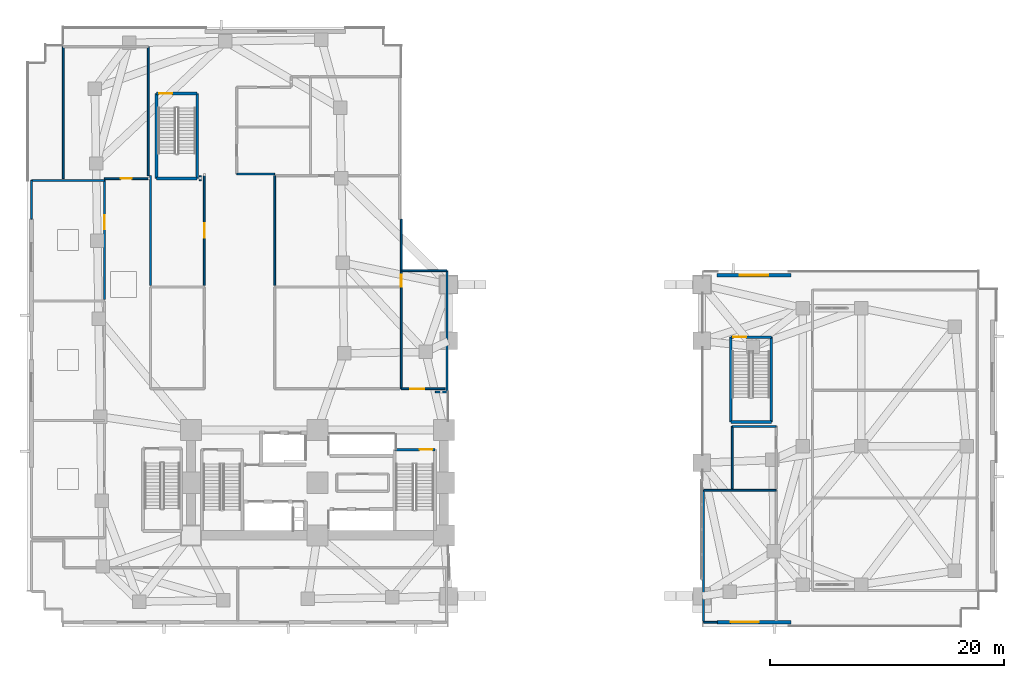
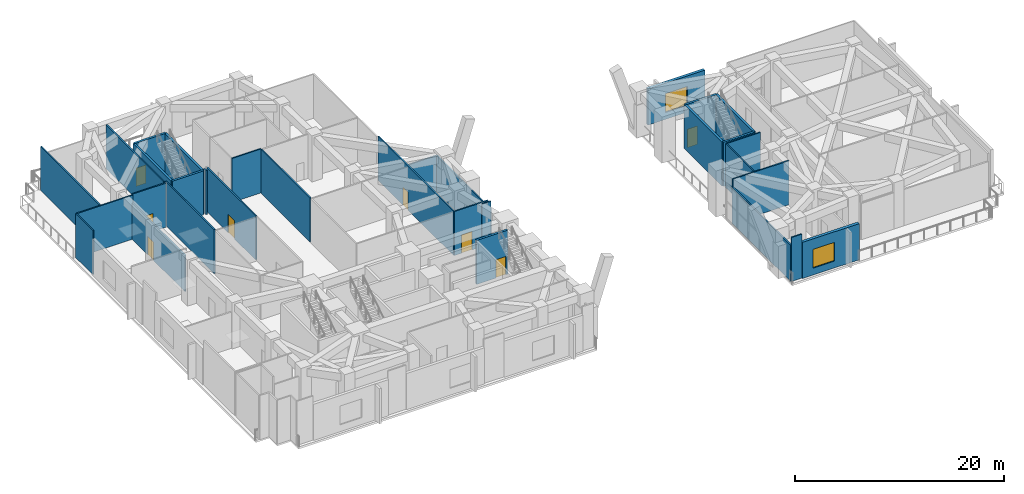
# One storey, part 9 of 18: 32 walls, 8 doors, 2 windows, 10 openings.
"""IFC4 building model written with IfcOpenShell, lengths in metres."""

from ifc_helpers import new_model, si_unit, direction, frame, frame_2d, origin, place, context, subcontext, project, spatial, rectangle, extrude, material, layer, layer_set, type_object, element, fill, save


model = new_model("IFC4")

# Units and contexts
model_context = context("Model", 3, precision=1e-05, world=origin(), true_north=direction((0.0, 1.0)))
body_context = subcontext(model_context, "Body", "Model", "MODEL_VIEW")
ifc_project = project(units=[si_unit("LENGTHUNIT", "METRE"), si_unit("AREAUNIT", "SQUARE_METRE"), si_unit("VOLUMEUNIT", "CUBIC_METRE"), si_unit("PLANEANGLEUNIT", "RADIAN"), si_unit("MASSUNIT", "GRAM", prefix="KILO")], contexts=[model_context])

# Site, building, storey
site_placement = place(None, origin())
site = spatial("IfcSite", under=ifc_project, at=site_placement, CompositionType="ELEMENT")
building_placement = place(site_placement, origin())
building = spatial("IfcBuilding", under=site, at=building_placement, Name="Gaonmaruhae Medical Tower", CompositionType="ELEMENT")
storey_placement = place(building_placement, frame((0.0, 0.0, 5.39990234375)))
storey = spatial("IfcBuildingStorey", under=building, at=storey_placement, Name="L01", CompositionType="ELEMENT", Elevation=5.39990234375)

# Wall, opening, window
ifc_material_1 = material(Name="Precast concrete C45/55", Category="concrete")
ifc_layer_1 = layer(ifc_material_1, 0.320068359375)
ifc_layer_set_1 = layer_set([ifc_layer_1], Name="Precast concrete C45/55")
wall_type_1 = type_object("IfcWallType", Name="EW-320 Lower Precast Masonry-Frame Facade Wall", PredefinedType="SOLIDWALL", material=ifc_layer_set_1)
wall_1_placement = place(storey_placement, frame((65.199951171875, 0.39990234375, 0.0), z_axis=(0.0, 0.0, 1.0), x_axis=(-1.0, 0.0, 0.0)))
wall_1 = element("IfcWall", 1, at=wall_1_placement, inside=storey, type_object=wall_type_1, Name="L01 Precast Facade Wall PB-S4", PredefinedType="SOLIDWALL", context=body_context, shape_type="SweptSolid", body=[
    extrude(rectangle(XDim=6.300048828125, YDim=0.320068359375, at=frame_2d((3.14990234375, 0.0))), origin(), (0.0, 0.0, 1.0), 4.22998046875),
])
opening_1_placement = place(wall_1_placement, frame((2.739990234375, 0.0, 0.800048828125)))
opening_1 = element("IfcOpeningElement", 2, at=opening_1_placement, cuts=wall_1, Name="Opening WN-06", PredefinedType="OPENING", context=body_context, shape_type="SweptSolid", body=[
    extrude(rectangle(XDim=2.39990234375, YDim=2.199951171875, at=frame_2d((1.199951171875, 1.10009765625))), frame((0.0, 0.169921875, 0.0), z_axis=(0.0, -1.0, 0.0), x_axis=(1.0, 0.0, 0.0)), (0.0, 0.0, 1.0), 0.340087890625),
])
ifc_material_2 = material(Name="Anodised aluminium and Low-E double glazing", Category="aluminium")
window_type = type_object("IfcWindowType", Name="WN-06 Podium Diagnostic Punched Window 2400x2200", PartitioningType="SINGLE_PANEL", PredefinedType="WINDOW", material=ifc_material_2)
window_1_placement = place(opening_1_placement, origin())
window_1 = element("IfcWindow", 3, at=window_1_placement, inside=storey, type_object=window_type, Name="L01 Podium Punched Window PB-S4", OverallHeight=2.199951171875, OverallWidth=2.39990234375, PartitioningType="SINGLE_PANEL", PredefinedType="WINDOW", context=body_context, shape_type="SweptSolid", body=[
    extrude(rectangle(XDim=2.39990234375, YDim=2.199951171875, at=frame_2d((1.199951171875, 1.10009765625))), frame((0.0, 0.030029296875, 0.0), z_axis=(0.0, -1.0, 0.0), x_axis=(1.0, 0.0, 0.0)), (0.0, 0.0, 1.0), 0.06005859375),
])
fill(opening_1, window_1)

wall_2_placement = place(storey_placement, frame((58.89990234375, 30.0, 0.0), z_axis=(0.0, 0.0, 1.0), x_axis=(1.0, 0.0, 0.0)))
wall_2 = element("IfcWall", 4, at=wall_2_placement, inside=storey, type_object=wall_type_1, Name="L01 Precast Facade Wall PB-N1", PredefinedType="SOLIDWALL", context=body_context, shape_type="SweptSolid", body=[
    extrude(rectangle(XDim=6.300048828125, YDim=0.320068359375, at=frame_2d((3.14990234375, 0.0))), origin(), (0.0, 0.0, 1.0), 4.22998046875),
])
opening_2_placement = place(wall_2_placement, frame((1.949951171875, 0.0, 0.800048828125)))
opening_2 = element("IfcOpeningElement", 5, at=opening_2_placement, cuts=wall_2, Name="Opening WN-06", PredefinedType="OPENING", context=body_context, shape_type="SweptSolid", body=[
    extrude(rectangle(XDim=2.39990234375, YDim=2.199951171875, at=frame_2d((1.199951171875, 1.10009765625))), frame((0.0, 0.169921875, 0.0), z_axis=(0.0, -1.0, 0.0), x_axis=(1.0, 0.0, 0.0)), (0.0, 0.0, 1.0), 0.340087890625),
])
window_2_placement = place(opening_2_placement, origin())
window_2 = element("IfcWindow", 6, at=window_2_placement, inside=storey, type_object=window_type, Name="L01 Podium Punched Window PB-N1", OverallHeight=2.199951171875, OverallWidth=2.39990234375, PartitioningType="SINGLE_PANEL", PredefinedType="WINDOW", context=body_context, shape_type="SweptSolid", body=[
    extrude(rectangle(XDim=2.39990234375, YDim=2.199951171875, at=frame_2d((1.199951171875, 1.10009765625))), frame((0.0, 0.030029296875, 0.0), z_axis=(0.0, -1.0, 0.0), x_axis=(1.0, 0.0, 0.0)), (0.0, 0.0, 1.0), 0.06005859375),
])
fill(opening_2, window_2)

# Wall
ifc_material_3 = material(Name="Gypsum board partition", Category="gypsum")
ifc_layer_2 = layer(ifc_material_3, 0.14990234375)
ifc_layer_set_2 = layer_set([ifc_layer_2], Name="Gypsum board partition")
wall_type_2 = type_object("IfcWallType", Name="PW-150 Rated Clinical Corridor Partition", PredefinedType="PARTITIONING", material=ifc_layer_set_2)
wall_3_placement = place(storey_placement, frame((0.39990234375, 38.10009765625, 0.0), z_axis=(0.0, 0.0, 1.0), x_axis=(1.0, 0.0, 0.0)))
element("IfcWall", 7, at=wall_3_placement, inside=storey, type_object=wall_type_2, Name="L01 Interior Partition L01-WP3-12", PredefinedType="PARTITIONING", context=body_context, shape_type="SweptSolid", body=[
    extrude(rectangle(XDim=6.22021484375, YDim=0.14990234375, at=frame_2d((3.110107421875, 0.0))), origin(), (0.0, 0.0, 1.0), 5.150146484375),
])

# Wall, opening, door
wall_4_placement = place(storey_placement, frame((6.6201171875, 38.10009765625, 0.0), z_axis=(0.0, 0.0, 1.0), x_axis=(0.0, -1.0, 0.0)))
wall_4 = element("IfcWall", 8, at=wall_4_placement, inside=storey, type_object=wall_type_2, Name="L01 Interior Partition L01-WP3-13", PredefinedType="PARTITIONING", context=body_context, shape_type="SweptSolid", body=[
    extrude(rectangle(XDim=10.150146484375, YDim=0.14990234375, at=frame_2d((5.0751953125, 0.0))), origin(), (0.0, 0.0, 1.0), 4.235107421875),
])
opening_3_placement = place(wall_4_placement, frame((2.96484375, 0.0, 0.0)))
opening_3 = element("IfcOpeningElement", 9, at=opening_3_placement, cuts=wall_4, Name="Opening CD-02", PredefinedType="OPENING", context=body_context, shape_type="SweptSolid", body=[
    extrude(rectangle(XDim=1.199951171875, YDim=2.14990234375, at=frame_2d((0.60009765625, 1.074951171875))), frame((0.0, 0.0849609375, 0.0), z_axis=(0.0, -1.0, 0.0), x_axis=(1.0, 0.0, 0.0)), (0.0, 0.0, 1.0), 0.169921875),
])
ifc_material_4 = material(Name="Antimicrobial laminate timber fire door", Category="wood")
door_type_1 = type_object("IfcDoorType", Name="CD-02 Clinical Treatment & Procedure Door 1200x2150", OperationType="NOTDEFINED", PredefinedType="DOOR", material=ifc_material_4)
door_1_placement = place(opening_3_placement, origin())
door_1 = element("IfcDoor", 10, at=door_1_placement, inside=storey, type_object=door_type_1, Name="L01 L01 Rehabilitation Physiotherapy Suite Door", OperationType="SINGLE_SWING_LEFT", OverallHeight=2.14990234375, OverallWidth=1.199951171875, PredefinedType="DOOR", context=body_context, shape_type="SweptSolid", body=[
    extrude(rectangle(XDim=1.199951171875, YDim=2.14990234375, at=frame_2d((0.60009765625, 1.074951171875))), frame((0.0, 0.02490234375, 0.0), z_axis=(0.0, -1.0, 0.0), x_axis=(1.0, 0.0, 0.0)), (0.0, 0.0, 1.0), 0.050048828125),
])
fill(opening_3, door_1)

# Walls
wall_5_placement = place(storey_placement, frame((0.39990234375, 34.800048828125, 0.0), z_axis=(0.0, 0.0, 1.0), x_axis=(0.0, 1.0, 0.0)))
element("IfcWall", 11, at=wall_5_placement, inside=storey, type_object=wall_type_2, Name="L01 Interior Partition L01-WP3-14", PredefinedType="PARTITIONING", context=body_context, shape_type="SweptSolid", body=[
    extrude(rectangle(XDim=3.300048828125, YDim=0.14990234375, at=frame_2d((1.64990234375, 0.0))), origin(), (0.0, 0.0, 1.0), 5.150146484375),
])
wall_6_placement = place(storey_placement, frame((35.85009765625, 30.39990234375, 0.0), z_axis=(0.0, 0.0, 1.0), x_axis=(0.0, -1.0, 0.0)))
element("IfcWall", 12, at=wall_6_placement, inside=storey, type_object=wall_type_2, Name="L01 Interior Partition L01-WP4-15", PredefinedType="PARTITIONING", context=body_context, shape_type="SweptSolid", body=[
    extrude(rectangle(XDim=10.349853515625, YDim=0.14990234375, at=frame_2d((5.1748046875, 0.0))), origin(), (0.0, 0.0, 1.0), 4.235107421875),
])
wall_7_placement = place(storey_placement, frame((35.85009765625, 20.050048828125, 0.0), z_axis=(0.0, 0.0, 1.0), x_axis=(-1.0, 0.0, 0.0)))
element("IfcWall", 13, at=wall_7_placement, inside=storey, type_object=wall_type_2, Name="L01 Interior Partition L01-WP4-16", PredefinedType="PARTITIONING", context=body_context, shape_type="SweptSolid", body=[
    extrude(rectangle(XDim=0.989990234375, YDim=0.14990234375, at=frame_2d((0.4951171875, 0.0))), origin(), (0.0, 0.0, 1.0), 5.150146484375),
])

# Wall, opening, door
wall_8_placement = place(storey_placement, frame((35.68994140625, 20.31005859375, 0.0), z_axis=(0.0, 0.0, 1.0), x_axis=(-1.0, 0.0, 0.0)))
wall_8 = element("IfcWall", 14, at=wall_8_placement, inside=storey, type_object=wall_type_2, Name="L01 Interior Partition L01-WP4-17", PredefinedType="PARTITIONING", context=body_context, shape_type="SweptSolid", body=[
    extrude(rectangle(XDim=3.739990234375, YDim=0.14990234375, at=frame_2d((1.8701171875, 0.0))), origin(), (0.0, 0.0, 1.0), 5.150146484375),
])
opening_4_placement = place(wall_8_placement, frame((1.7919921875, 0.0, 0.0)))
opening_4 = element("IfcOpeningElement", 15, at=opening_4_placement, cuts=wall_8, Name="Opening CD-02", PredefinedType="OPENING", context=body_context, shape_type="SweptSolid", body=[
    extrude(rectangle(XDim=1.199951171875, YDim=2.14990234375, at=frame_2d((0.60009765625, 1.074951171875))), frame((0.0, 0.0849609375, 0.0), z_axis=(0.0, -1.0, 0.0), x_axis=(1.0, 0.0, 0.0)), (0.0, 0.0, 1.0), 0.169921875),
])
door_2_placement = place(opening_4_placement, origin())
door_2 = element("IfcDoor", 16, at=door_2_placement, inside=storey, type_object=door_type_1, Name="L01 L01 Outpatient Ultrasound Room Door", OperationType="SINGLE_SWING_LEFT", OverallHeight=2.14990234375, OverallWidth=1.199951171875, PredefinedType="DOOR", context=body_context, shape_type="SweptSolid", body=[
    extrude(rectangle(XDim=1.199951171875, YDim=2.14990234375, at=frame_2d((0.60009765625, 1.074951171875))), frame((0.0, 0.02490234375, 0.0), z_axis=(0.0, -1.0, 0.0), x_axis=(1.0, 0.0, 0.0)), (0.0, 0.0, 1.0), 0.050048828125),
])
fill(opening_4, door_2)

wall_9_placement = place(storey_placement, frame((31.949951171875, 20.31005859375, 0.0), z_axis=(0.0, 0.0, 1.0), x_axis=(0.0, 1.0, 0.0)))
wall_9 = element("IfcWall", 17, at=wall_9_placement, inside=storey, type_object=wall_type_2, Name="L01 Interior Partition L01-WP4-18", PredefinedType="PARTITIONING", context=body_context, shape_type="SweptSolid", body=[
    extrude(rectangle(XDim=14.489990234375, YDim=0.14990234375, at=frame_2d((7.2451171875, 0.0))), origin(), (0.0, 0.0, 1.0), 5.150146484375),
])
opening_5_placement = place(wall_9_placement, frame((8.72998046875, 0.0, 0.0)))
opening_5 = element("IfcOpeningElement", 18, at=opening_5_placement, cuts=wall_9, Name="Opening CD-01", PredefinedType="OPENING", context=body_context, shape_type="SweptSolid", body=[
    extrude(rectangle(XDim=1.0, YDim=2.1201171875, at=frame_2d((0.5, 1.06005859375))), frame((0.0, 0.0849609375, 0.0), z_axis=(0.0, -1.0, 0.0), x_axis=(1.0, 0.0, 0.0)), (0.0, 0.0, 1.0), 0.169921875),
])
door_type_2 = type_object("IfcDoorType", Name="CD-01 Consultation & Physician Office Door 1000x2120", OperationType="NOTDEFINED", PredefinedType="DOOR", material=ifc_material_4)
door_3_placement = place(opening_5_placement, origin())
door_3 = element("IfcDoor", 19, at=door_3_placement, inside=storey, type_object=door_type_2, Name="L01 Outpatient Phlebotomy Laboratory Sliding Door", OperationType="SLIDING_TO_LEFT", OverallHeight=2.1201171875, OverallWidth=1.0, PredefinedType="DOOR", context=body_context, shape_type="SweptSolid", body=[
    extrude(rectangle(XDim=1.0, YDim=2.1201171875, at=frame_2d((0.5, 1.06005859375))), frame((0.0, 0.02490234375, 0.0), z_axis=(0.0, -1.0, 0.0), x_axis=(1.0, 0.0, 0.0)), (0.0, 0.0, 1.0), 0.050048828125),
])
fill(opening_5, door_3)

# Walls
wall_10_placement = place(storey_placement, frame((32.0, 30.39990234375, 0.0), z_axis=(0.0, 0.0, 1.0), x_axis=(1.0, 0.0, 0.0)))
element("IfcWall", 20, at=wall_10_placement, inside=storey, type_object=wall_type_2, Name="L01 Interior Partition L01-WP4-19", PredefinedType="PARTITIONING", context=body_context, shape_type="SweptSolid", body=[
    extrude(rectangle(XDim=3.85009765625, YDim=0.14990234375, at=frame_2d((1.925048828125, 0.0))), origin(), (0.0, 0.0, 1.0), 4.235107421875),
])
wall_11_placement = place(storey_placement, frame((57.75, 11.64990234375, 0.0), z_axis=(0.0, 0.0, 1.0), x_axis=(1.0, 0.0, 0.0)))
element("IfcWall", 21, at=wall_11_placement, inside=storey, type_object=wall_type_2, Name="L01 Interior Partition L01-EA4-30", PredefinedType="PARTITIONING", context=body_context, shape_type="SweptSolid", body=[
    extrude(rectangle(XDim=6.199951171875, YDim=0.14990234375, at=frame_2d((3.10009765625, 0.0))), origin(), (0.0, 0.0, 1.0), 5.150146484375),
])
wall_12_placement = place(storey_placement, frame((58.89990234375, 0.39990234375, 0.0), z_axis=(0.0, 0.0, 1.0), x_axis=(-1.0, 0.0, 0.0)))
element("IfcWall", 22, at=wall_12_placement, inside=storey, type_object=wall_type_2, Name="L01 Interior Partition L01-EA4-32", PredefinedType="PARTITIONING", context=body_context, shape_type="SweptSolid", body=[
    extrude(rectangle(XDim=1.14990234375, YDim=0.14990234375, at=frame_2d((0.574951171875, 0.0))), origin(), (0.0, 0.0, 1.0), 5.150146484375),
])
wall_13_placement = place(storey_placement, frame((57.75, 0.39990234375, 0.0), z_axis=(0.0, 0.0, 1.0), x_axis=(0.0, 1.0, 0.0)))
element("IfcWall", 23, at=wall_13_placement, inside=storey, type_object=wall_type_2, Name="L01 Interior Partition L01-EA4-33", PredefinedType="PARTITIONING", context=body_context, shape_type="SweptSolid", body=[
    extrude(rectangle(XDim=11.25, YDim=0.14990234375, at=frame_2d((5.625, 0.0))), origin(), (0.0, 0.0, 1.0), 4.235107421875),
])
wall_14_placement = place(storey_placement, frame((60.199951171875, 17.10009765625, 0.0), z_axis=(0.0, 0.0, 1.0), x_axis=(1.0, 0.0, 0.0)))
element("IfcWall", 24, at=wall_14_placement, inside=storey, type_object=wall_type_2, Name="L01 Interior Partition L01-EAW-34", PredefinedType="PARTITIONING", context=body_context, shape_type="SweptSolid", body=[
    extrude(rectangle(XDim=3.75, YDim=0.14990234375, at=frame_2d((1.875, 0.0))), origin(), (0.0, 0.0, 1.0), 5.150146484375),
])
wall_15_placement = place(storey_placement, frame((60.199951171875, 11.800048828125, 0.0), z_axis=(0.0, 0.0, 1.0), x_axis=(0.0, 1.0, 0.0)))
element("IfcWall", 25, at=wall_15_placement, inside=storey, type_object=wall_type_2, Name="L01 Interior Partition L01-EAW-36", PredefinedType="PARTITIONING", context=body_context, shape_type="SweptSolid", body=[
    extrude(rectangle(XDim=5.300048828125, YDim=0.14990234375, at=frame_2d((2.64990234375, 0.0))), origin(), (0.0, 0.0, 1.0), 5.150146484375),
])
wall_16_placement = place(storey_placement, frame((10.550048828125, 29.14990234375, 0.0), z_axis=(0.0, 0.0, 1.0), x_axis=(0.0, 1.0, 0.0)))
element("IfcWall", 26, at=wall_16_placement, inside=storey, type_object=wall_type_2, Name="L01 Interior Partition L01-D5-59", PredefinedType="PARTITIONING", context=body_context, shape_type="SweptSolid", body=[
    extrude(rectangle(XDim=9.35009765625, YDim=0.14990234375, at=frame_2d((4.675048828125, 0.0))), origin(), (0.0, 0.0, 1.0), 5.150146484375),
])
wall_17_placement = place(storey_placement, frame((14.800048828125, 38.050048828125, 0.0), z_axis=(0.0, 0.0, 1.0), x_axis=(0.0, 1.0, 0.0)))
element("IfcWall", 27, at=wall_17_placement, inside=storey, type_object=wall_type_2, Name="L01 Interior Partition L01-D5-60", PredefinedType="PARTITIONING", context=body_context, shape_type="SweptSolid", body=[
    extrude(rectangle(XDim=0.449951171875, YDim=0.14990234375, at=frame_2d((0.22509765625, 0.0))), origin(), (0.0, 0.0, 1.0), 5.150146484375),
])

# Wall, opening, door
wall_18_placement = place(storey_placement, frame((15.139892578125, 38.5, 0.0), z_axis=(0.0, 0.0, 1.0), x_axis=(0.0, -1.0, 0.0)))
wall_18 = element("IfcWall", 28, at=wall_18_placement, inside=storey, type_object=wall_type_2, Name="L01 Interior Partition L01-D5-61", PredefinedType="PARTITIONING", context=body_context, shape_type="SweptSolid", body=[
    extrude(rectangle(XDim=9.35009765625, YDim=0.14990234375, at=frame_2d((4.675048828125, 0.0))), origin(), (0.0, 0.0, 1.0), 5.150146484375),
])
opening_6_placement = place(wall_18_placement, frame((4.074951171875, 0.0, 0.0)))
opening_6 = element("IfcOpeningElement", 29, at=opening_6_placement, cuts=wall_18, Name="Opening CD-02", PredefinedType="OPENING", context=body_context, shape_type="SweptSolid", body=[
    extrude(rectangle(XDim=1.199951171875, YDim=2.14990234375, at=frame_2d((0.60009765625, 1.074951171875))), frame((0.0, 0.0849609375, 0.0), z_axis=(0.0, -1.0, 0.0), x_axis=(1.0, 0.0, 0.0)), (0.0, 0.0, 1.0), 0.169921875),
])
door_4_placement = place(opening_6_placement, origin())
door_4 = element("IfcDoor", 30, at=door_4_placement, inside=storey, type_object=door_type_1, Name="L01 Cardiopulmonary Diagnostic Suite Door", OperationType="SINGLE_SWING_RIGHT", OverallHeight=2.14990234375, OverallWidth=1.199951171875, PredefinedType="DOOR", context=body_context, shape_type="SweptSolid", body=[
    extrude(rectangle(XDim=1.199951171875, YDim=2.14990234375, at=frame_2d((0.60009765625, 1.074951171875))), frame((0.0, 0.02490234375, 0.0), z_axis=(0.0, -1.0, 0.0), x_axis=(1.0, 0.0, 0.0)), (0.0, 0.0, 1.0), 0.050048828125),
])
fill(opening_6, door_4)

# Walls
wall_19_placement = place(storey_placement, frame((21.14990234375, 29.14990234375, 0.0), z_axis=(0.0, 0.0, 1.0), x_axis=(0.0, 1.0, 0.0)))
element("IfcWall", 31, at=wall_19_placement, inside=storey, type_object=wall_type_2, Name="L01 Interior Partition L01-D6-64", PredefinedType="PARTITIONING", context=body_context, shape_type="SweptSolid", body=[
    extrude(rectangle(XDim=9.35009765625, YDim=0.14990234375, at=frame_2d((4.675048828125, 0.0))), origin(), (0.0, 0.0, 1.0), 5.150146484375),
])
wall_20_placement = place(storey_placement, frame((21.14990234375, 38.64990234375, 0.0), z_axis=(0.0, 0.0, 1.0), x_axis=(-1.0, 0.0, 0.0)))
element("IfcWall", 32, at=wall_20_placement, inside=storey, type_object=wall_type_2, Name="L01 Interior Partition L01-WC-68", PredefinedType="PARTITIONING", context=body_context, shape_type="SweptSolid", body=[
    extrude(rectangle(XDim=3.239990234375, YDim=0.14990234375, at=frame_2d((1.6201171875, 0.0))), origin(), (0.0, 0.0, 1.0), 5.150146484375),
])

# Wall, opening, door
wall_21_placement = place(storey_placement, frame((10.35009765625, 38.25, 0.0), z_axis=(0.0, 0.0, 1.0), x_axis=(-1.0, 0.0, 0.0)))
wall_21 = element("IfcWall", 33, at=wall_21_placement, inside=storey, type_object=wall_type_2, Name="L01 Interior Partition L01-HSK-75", PredefinedType="PARTITIONING", context=body_context, shape_type="SweptSolid", body=[
    extrude(rectangle(XDim=3.72998046875, YDim=0.14990234375, at=frame_2d((1.864990234375, 0.0))), origin(), (0.0, 0.0, 1.0), 5.150146484375),
])
opening_7_placement = place(wall_21_placement, frame((1.405029296875, 0.0, 0.0)))
opening_7 = element("IfcOpeningElement", 34, at=opening_7_placement, cuts=wall_21, Name="Opening UD-01", PredefinedType="OPENING", context=body_context, shape_type="SweptSolid", body=[
    extrude(rectangle(XDim=0.919921875, YDim=2.10009765625, at=frame_2d((0.4599609375, 1.050048828125))), frame((0.0, 0.0849609375, 0.0), z_axis=(0.0, -1.0, 0.0), x_axis=(1.0, 0.0, 0.0)), (0.0, 0.0, 1.0), 0.169921875),
])
ifc_material_5 = material(Name="Powder-coated steel utility door", Category="steel")
door_type_3 = type_object("IfcDoorType", Name="UD-01 Toilet, Utility & Housekeeping Door 920x2100", OperationType="NOTDEFINED", PredefinedType="DOOR", material=ifc_material_5)
door_5_placement = place(opening_7_placement, origin())
door_5 = element("IfcDoor", 35, at=door_5_placement, inside=storey, type_object=door_type_3, Name="L01 L01 Department Housekeeping Room Door", OperationType="SINGLE_SWING_LEFT", OverallHeight=2.10009765625, OverallWidth=0.919921875, PredefinedType="DOOR", context=body_context, shape_type="SweptSolid", body=[
    extrude(rectangle(XDim=0.919921875, YDim=2.10009765625, at=frame_2d((0.4599609375, 1.050048828125))), frame((0.0, 0.02490234375, 0.0), z_axis=(0.0, -1.0, 0.0), x_axis=(1.0, 0.0, 0.0)), (0.0, 0.0, 1.0), 0.050048828125),
])
fill(opening_7, door_5)

# Walls
wall_22_placement = place(storey_placement, frame((3.10009765625, 38.25, 0.0), z_axis=(0.0, 0.0, 1.0), x_axis=(0.0, 1.0, 0.0)))
element("IfcWall", 36, at=wall_22_placement, inside=storey, type_object=wall_type_2, Name="L01 Interior Partition L01-HSK-76", PredefinedType="PARTITIONING", context=body_context, shape_type="SweptSolid", body=[
    extrude(rectangle(XDim=11.25, YDim=0.14990234375, at=frame_2d((5.625, 0.0))), origin(), (0.0, 0.0, 1.0), 5.150146484375),
])
wall_23_placement = place(storey_placement, frame((10.35009765625, 49.5, 0.0), z_axis=(0.0, 0.0, 1.0), x_axis=(0.0, -1.0, 0.0)))
element("IfcWall", 37, at=wall_23_placement, inside=storey, type_object=wall_type_2, Name="L01 Interior Partition L01-HSK-78", PredefinedType="PARTITIONING", context=body_context, shape_type="SweptSolid", body=[
    extrude(rectangle(XDim=11.0, YDim=0.14990234375, at=frame_2d((5.5, 0.0))), origin(), (0.0, 0.0, 1.0), 5.150146484375),
])

# Wall, opening, door
ifc_material_6 = material(Name="Concrete C50/60", Category="concrete")
ifc_layer_3 = layer(ifc_material_6, 0.239990234375)
ifc_layer_set_3 = layer_set([ifc_layer_3], Name="Concrete C50/60")
wall_type_3 = type_object("IfcWallType", Name="SW-240 Dogleg Stair Tight Shaft Wall", PredefinedType="SOLIDWALL", material=ifc_layer_set_3)
wall_24_placement = place(storey_placement, frame((31.3701171875, 15.1201171875, 0.0), z_axis=(0.0, 0.0, 1.0), x_axis=(1.0, 0.0, 0.0)))
wall_24 = element("IfcWall", 38, at=wall_24_placement, inside=storey, type_object=wall_type_3, Name="L01 ST-02 Stair Shaft Wall SHW-ST-02-N", PredefinedType="SOLIDWALL", context=body_context, shape_type="SweptSolid", body=[
    extrude(rectangle(XDim=3.4599609375, YDim=0.239990234375, at=frame_2d((1.72998046875, 0.0))), origin(), (0.0, 0.0, 1.0), 5.150146484375),
])
opening_8_placement = place(wall_24_placement, frame((2.139892578125, 0.0, 0.0)))
opening_8 = element("IfcOpeningElement", 39, at=opening_8_placement, cuts=wall_24, Name="Opening FD-01", PredefinedType="OPENING", context=body_context, shape_type="SweptSolid", body=[
    extrude(rectangle(XDim=1.10009765625, YDim=2.14990234375, at=frame_2d((0.550048828125, 1.074951171875))), frame((0.0, 0.1298828125, 0.0), z_axis=(0.0, -1.0, 0.0), x_axis=(1.0, 0.0, 0.0)), (0.0, 0.0, 1.0), 0.260009765625),
])
ifc_material_7 = material(Name="Powder-coated steel fire door", Category="steel")
door_type_4 = type_object("IfcDoorType", Name="FD-01 Escape Stair Protected Fire Door 1100x2150", OperationType="NOTDEFINED", PredefinedType="DOOR", material=ifc_material_7)
door_6_placement = place(opening_8_placement, origin())
door_6 = element("IfcDoor", 40, at=door_6_placement, inside=storey, type_object=door_type_4, Name="L01 ST-02 Protected Escape Stair Door", OperationType="SINGLE_SWING_LEFT", OverallHeight=2.14990234375, OverallWidth=1.10009765625, PredefinedType="DOOR", context=body_context, shape_type="SweptSolid", body=[
    extrude(rectangle(XDim=1.10009765625, YDim=2.14990234375, at=frame_2d((0.550048828125, 1.074951171875))), frame((0.0, 0.02490234375, 0.0), z_axis=(0.0, -1.0, 0.0), x_axis=(1.0, 0.0, 0.0)), (0.0, 0.0, 1.0), 0.050048828125),
])
fill(opening_8, door_6)

wall_25_placement = place(storey_placement, frame((60.070068359375, 24.719970703125, 0.0), z_axis=(0.0, 0.0, 1.0), x_axis=(1.0, 0.0, 0.0)))
wall_25 = element("IfcWall", 41, at=wall_25_placement, inside=storey, type_object=wall_type_3, Name="L01 ST-04 Stair Shaft Wall SHW-ST-04-N", PredefinedType="SOLIDWALL", context=body_context, shape_type="SweptSolid", body=[
    extrude(rectangle(XDim=3.4599609375, YDim=0.239990234375, at=frame_2d((1.72998046875, 0.0))), origin(), (0.0, 0.0, 1.0), 5.150146484375),
])
opening_9_placement = place(wall_25_placement, frame((0.219970703125, 0.0, 0.0)))
opening_9 = element("IfcOpeningElement", 42, at=opening_9_placement, cuts=wall_25, Name="Opening FD-01", PredefinedType="OPENING", context=body_context, shape_type="SweptSolid", body=[
    extrude(rectangle(XDim=1.10009765625, YDim=2.14990234375, at=frame_2d((0.550048828125, 1.074951171875))), frame((0.0, 0.1298828125, 0.0), z_axis=(0.0, -1.0, 0.0), x_axis=(1.0, 0.0, 0.0)), (0.0, 0.0, 1.0), 0.260009765625),
])
door_7_placement = place(opening_9_placement, origin())
door_7 = element("IfcDoor", 43, at=door_7_placement, inside=storey, type_object=door_type_4, Name="L01 ST-04 Protected Escape Stair Door", OperationType="SINGLE_SWING_LEFT", OverallHeight=2.14990234375, OverallWidth=1.10009765625, PredefinedType="DOOR", context=body_context, shape_type="SweptSolid", body=[
    extrude(rectangle(XDim=1.10009765625, YDim=2.14990234375, at=frame_2d((0.550048828125, 1.074951171875))), frame((0.0, 0.02490234375, 0.0), z_axis=(0.0, -1.0, 0.0), x_axis=(1.0, 0.0, 0.0)), (0.0, 0.0, 1.0), 0.050048828125),
])
fill(opening_9, door_7)

# Walls
wall_26_placement = place(storey_placement, frame((63.530029296875, 24.719970703125, 0.0), z_axis=(0.0, 0.0, 1.0), x_axis=(0.0, -1.0, 0.0)))
element("IfcWall", 44, at=wall_26_placement, inside=storey, type_object=wall_type_3, Name="L01 ST-04 Stair Shaft Wall SHW-ST-04-E", PredefinedType="SOLIDWALL", context=body_context, shape_type="SweptSolid", body=[
    extrude(rectangle(XDim=7.25, YDim=0.239990234375, at=frame_2d((3.625, 0.0))), origin(), (0.0, 0.0, 1.0), 5.150146484375),
])
wall_27_placement = place(storey_placement, frame((63.530029296875, 17.469970703125, 0.0), z_axis=(0.0, 0.0, 1.0), x_axis=(-1.0, 0.0, 0.0)))
element("IfcWall", 45, at=wall_27_placement, inside=storey, type_object=wall_type_3, Name="L01 ST-04 Stair Shaft Wall SHW-ST-04-S", PredefinedType="SOLIDWALL", context=body_context, shape_type="SweptSolid", body=[
    extrude(rectangle(XDim=3.4599609375, YDim=0.239990234375, at=frame_2d((1.72998046875, 0.0))), origin(), (0.0, 0.0, 1.0), 5.150146484375),
])
wall_28_placement = place(storey_placement, frame((60.070068359375, 17.469970703125, 0.0), z_axis=(0.0, 0.0, 1.0), x_axis=(0.0, 1.0, 0.0)))
element("IfcWall", 46, at=wall_28_placement, inside=storey, type_object=wall_type_3, Name="L01 ST-04 Stair Shaft Wall SHW-ST-04-W", PredefinedType="SOLIDWALL", context=body_context, shape_type="SweptSolid", body=[
    extrude(rectangle(XDim=7.25, YDim=0.239990234375, at=frame_2d((3.625, 0.0))), origin(), (0.0, 0.0, 1.0), 5.150146484375),
])

# Wall, opening, door
wall_29_placement = place(storey_placement, frame((11.070068359375, 45.52001953125, 0.0), z_axis=(0.0, 0.0, 1.0), x_axis=(1.0, 0.0, 0.0)))
wall_29 = element("IfcWall", 47, at=wall_29_placement, inside=storey, type_object=wall_type_3, Name="L01 ST-05 Stair Shaft Wall SHW-ST-05-N", PredefinedType="SOLIDWALL", context=body_context, shape_type="SweptSolid", body=[
    extrude(rectangle(XDim=3.4599609375, YDim=0.239990234375, at=frame_2d((1.72998046875, 0.0))), origin(), (0.0, 0.0, 1.0), 5.150146484375),
])
opening_10_placement = place(wall_29_placement, frame((0.219970703125, 0.0, 0.0)))
opening_10 = element("IfcOpeningElement", 48, at=opening_10_placement, cuts=wall_29, Name="Opening FD-01", PredefinedType="OPENING", context=body_context, shape_type="SweptSolid", body=[
    extrude(rectangle(XDim=1.10009765625, YDim=2.14990234375, at=frame_2d((0.550048828125, 1.074951171875))), frame((0.0, 0.1298828125, 0.0), z_axis=(0.0, -1.0, 0.0), x_axis=(1.0, 0.0, 0.0)), (0.0, 0.0, 1.0), 0.260009765625),
])
door_8_placement = place(opening_10_placement, origin())
door_8 = element("IfcDoor", 49, at=door_8_placement, inside=storey, type_object=door_type_4, Name="L01 ST-05 Protected Escape Stair Door", OperationType="SINGLE_SWING_RIGHT", OverallHeight=2.14990234375, OverallWidth=1.10009765625, PredefinedType="DOOR", context=body_context, shape_type="SweptSolid", body=[
    extrude(rectangle(XDim=1.10009765625, YDim=2.14990234375, at=frame_2d((0.550048828125, 1.074951171875))), frame((0.0, 0.02490234375, 0.0), z_axis=(0.0, -1.0, 0.0), x_axis=(1.0, 0.0, 0.0)), (0.0, 0.0, 1.0), 0.050048828125),
])
fill(opening_10, door_8)

# Walls
wall_30_placement = place(storey_placement, frame((14.530029296875, 45.52001953125, 0.0), z_axis=(0.0, 0.0, 1.0), x_axis=(0.0, -1.0, 0.0)))
element("IfcWall", 50, at=wall_30_placement, inside=storey, type_object=wall_type_3, Name="L01 ST-05 Stair Shaft Wall SHW-ST-05-E", PredefinedType="SOLIDWALL", context=body_context, shape_type="SweptSolid", body=[
    extrude(rectangle(XDim=7.25, YDim=0.239990234375, at=frame_2d((3.625, 0.0))), origin(), (0.0, 0.0, 1.0), 5.150146484375),
])
wall_31_placement = place(storey_placement, frame((14.530029296875, 38.27001953125, 0.0), z_axis=(0.0, 0.0, 1.0), x_axis=(-1.0, 0.0, 0.0)))
element("IfcWall", 51, at=wall_31_placement, inside=storey, type_object=wall_type_3, Name="L01 ST-05 Stair Shaft Wall SHW-ST-05-S", PredefinedType="SOLIDWALL", context=body_context, shape_type="SweptSolid", body=[
    extrude(rectangle(XDim=3.4599609375, YDim=0.239990234375, at=frame_2d((1.72998046875, 0.0))), origin(), (0.0, 0.0, 1.0), 5.150146484375),
])
wall_32_placement = place(storey_placement, frame((11.070068359375, 38.27001953125, 0.0), z_axis=(0.0, 0.0, 1.0), x_axis=(0.0, 1.0, 0.0)))
element("IfcWall", 52, at=wall_32_placement, inside=storey, type_object=wall_type_3, Name="L01 ST-05 Stair Shaft Wall SHW-ST-05-W", PredefinedType="SOLIDWALL", context=body_context, shape_type="SweptSolid", body=[
    extrude(rectangle(XDim=7.25, YDim=0.239990234375, at=frame_2d((3.625, 0.0))), origin(), (0.0, 0.0, 1.0), 5.150146484375),
])

save(model, "model.ifc")
